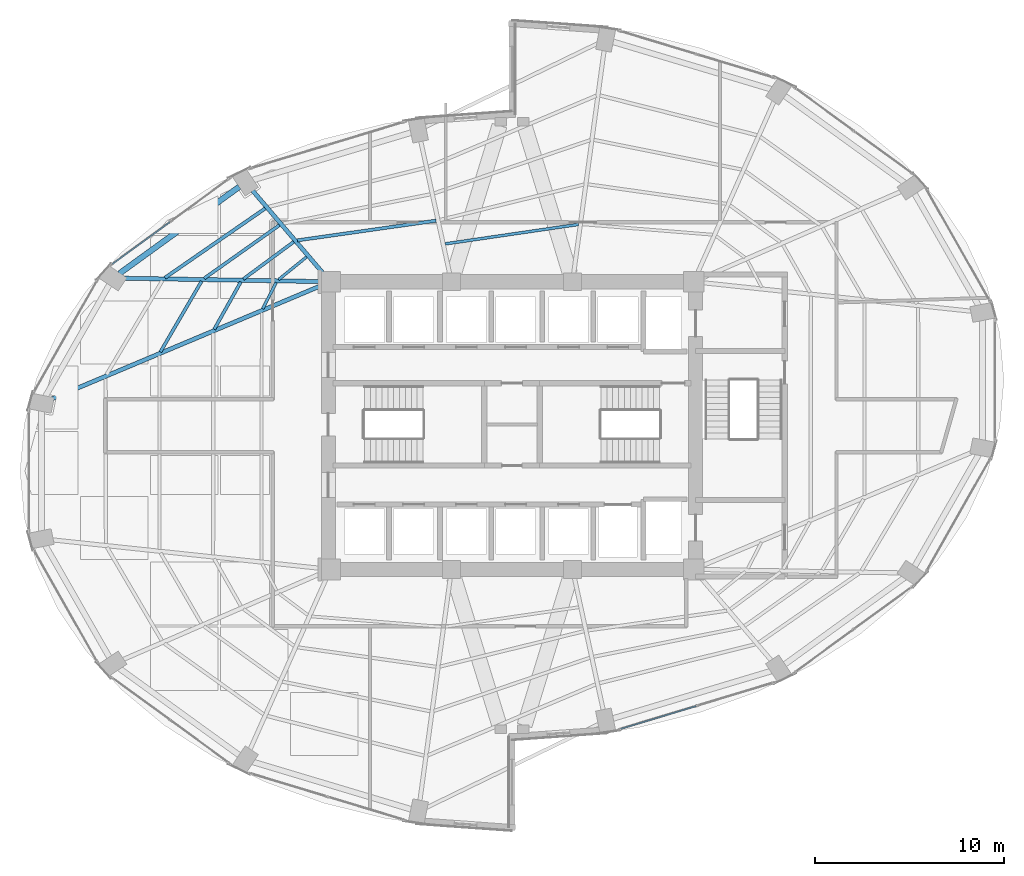
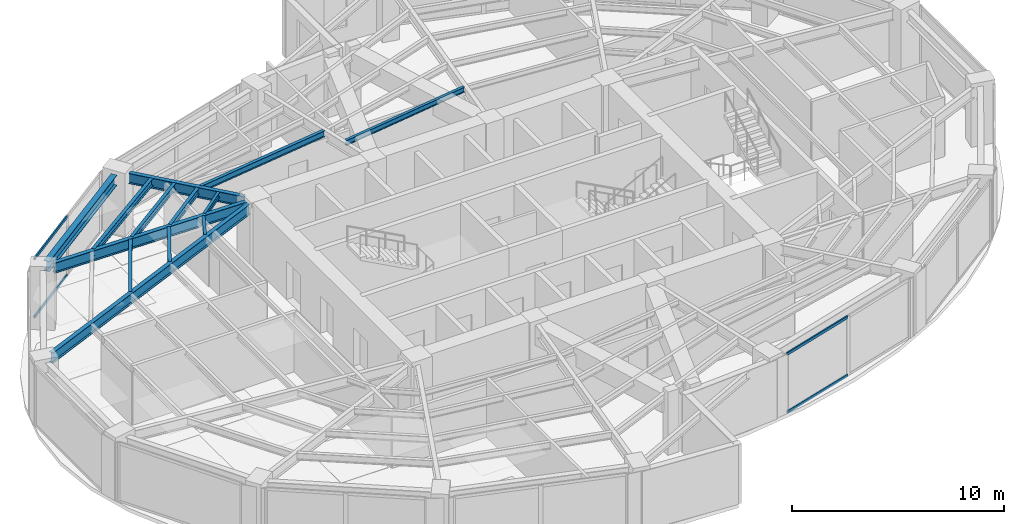
# One storey, part 9 of 23: 13 beams, 4 members, 2 elements without a shape of their own.
"""IFC4 building model written with IfcOpenShell, lengths in metres."""

import ifcopenshell
import ifcopenshell.guid

model = None  # the IFC model being written
_history = None  # IfcOwnerHistory: only IFC2X3 demands one
_inside = {}  # id of a spatial element -> (the spatial element, [elements in it])
_under = {}  # id of a project, library or spatial element -> (it, [spatial elements below it])
_declared = {}  # id of a project -> (the project, [libraries it declares])
_typed = {}  # id of a type object -> (the type object, [elements of that type])
_made_of = {}  # id of a material, layer set ... -> (it, [elements and type objects made of it])


def new_model(schema):
    """Start an empty IFC model of exactly this schema.

    Asked for "IFC4X3", IfcOpenShell would pick the latest addendum, in which some entities
    have other attributes; the version numbers below select the first issue.
    IFC2X3 requires an IfcOwnerHistory on every rooted entity: one is made here for all.
    """
    global model, _history
    if schema == "IFC4X3":
        model = ifcopenshell.file(schema_version=(4, 3, 0, 0))
    else:
        model = ifcopenshell.file(schema=schema)
    _inside.clear()
    _under.clear()
    _declared.clear()
    _typed.clear()
    _made_of.clear()
    _history = None
    if model.schema == "IFC2X3":
        org = make("IfcOrganization", Name="unknown")
        user = make(
            "IfcPersonAndOrganization",
            ThePerson=make("IfcPerson", FamilyName="unknown"),
            TheOrganization=org,
        )
        app = make(
            "IfcApplication",
            ApplicationDeveloper=org,
            Version="unknown",
            ApplicationFullName="unknown",
            ApplicationIdentifier="unknown",
        )
        _history = make(
            "IfcOwnerHistory",
            OwningUser=user,
            OwningApplication=app,
            ChangeAction="ADDED",
            CreationDate=0,
        )
    return model


def make(cls, **values):
    """One entity of the class cls with the attributes given. An attribute that is None is left unset."""
    return model.create_entity(
        cls, **{name: value for name, value in values.items() if value is not None}
    )


def rooted(cls, **values):
    """An entity with a GlobalId (a new one), such as an element, a storey or a relation."""
    return make(cls, GlobalId=ifcopenshell.guid.new(), OwnerHistory=_history, **values)


def si_unit(unit_type, name, prefix=None):
    """IfcSIUnit, for example si_unit("LENGTHUNIT", "METRE", prefix="MILLI")."""
    return make("IfcSIUnit", UnitType=unit_type, Prefix=prefix, Name=name)


def assignment(units):
    """IfcUnitAssignment: the units of a project."""
    return None if units is None else make("IfcUnitAssignment", Units=units)


def point(xyz):
    """IfcCartesianPoint."""
    return None if xyz is None else make("IfcCartesianPoint", Coordinates=xyz)


def direction(xyz):
    """IfcDirection."""
    return None if xyz is None else make("IfcDirection", DirectionRatios=xyz)


def frame(location, z_axis=None, x_axis=None):
    """IfcAxis2Placement3D, a coordinate frame: its origin and axes. An axis left out is left unset."""
    return make(
        "IfcAxis2Placement3D",
        Location=point(location),
        Axis=direction(z_axis),
        RefDirection=direction(x_axis),
    )


def frame_2d(location, x_axis=None):
    """IfcAxis2Placement2D, a coordinate frame in the plane: its origin and x axis."""
    return make(
        "IfcAxis2Placement2D", Location=point(location), RefDirection=direction(x_axis)
    )


def origin():
    """The frame at (0, 0, 0) with its axes left unset."""
    return frame((0.0, 0.0, 0.0))


def origin_2d():
    """The frame at (0, 0) in the plane with its x axis left unset."""
    return frame_2d((0.0, 0.0))


def place(relative_to, where):
    """IfcLocalPlacement: puts the frame where relative to a parent placement (None: the world)."""
    return make(
        "IfcLocalPlacement", PlacementRelTo=relative_to, RelativePlacement=where
    )


def context(
    kind, dimensions, precision=None, world=None, true_north=None, identifier=None
):
    """IfcGeometricRepresentationContext, for example the 3D "Model" context."""
    return make(
        "IfcGeometricRepresentationContext",
        ContextIdentifier=identifier,
        ContextType=kind,
        CoordinateSpaceDimension=dimensions,
        Precision=precision,
        WorldCoordinateSystem=world,
        TrueNorth=true_north,
    )


def subcontext(parent, identifier, kind, view, scale=None):
    """IfcGeometricRepresentationSubContext, for example "Body" below "Model"."""
    return make(
        "IfcGeometricRepresentationSubContext",
        ContextIdentifier=identifier,
        ContextType=kind,
        ParentContext=parent,
        TargetScale=scale,
        TargetView=view,
    )


def project(units=None, contexts=None):
    """IfcProject with its units and contexts."""
    return rooted(
        "IfcProject",
        Name="project",
        RepresentationContexts=contexts,
        UnitsInContext=assignment(units),
    )


def spatial(cls, under=None, at=None, **own):
    """A site, building, storey or space (cls), placed at a placement, below another one or the project."""
    s = rooted(cls, ObjectPlacement=at, **own)
    if under is not None:
        _under.setdefault(under.id(), (under, []))[1].append(s)
    return s


def profile(cls, at=None, kind="AREA", **sizes):
    """A parametric profile (cls). Its sizes go by their IFC names, for example OverallWidth=200.0."""
    return make(cls, ProfileType=kind, Position=at, **sizes)


def hollow_rectangle(**sizes):
    """IfcRectangleHollowProfileDef."""
    return profile("IfcRectangleHollowProfileDef", **sizes)


def i_section(**sizes):
    """IfcIShapeProfileDef."""
    return profile("IfcIShapeProfileDef", **sizes)


def extrude(swept, where, along, depth):
    """IfcExtrudedAreaSolid: the profile swept, set in the frame where, extruded along a direction by depth."""
    return make(
        "IfcExtrudedAreaSolid",
        SweptArea=swept,
        Position=where,
        ExtrudedDirection=direction(along),
        Depth=depth,
    )


def shape(context_of_items, identifier, shape_type, items):
    """IfcShapeRepresentation: the items that make up one representation, for example the "Body"."""
    return make(
        "IfcShapeRepresentation",
        ContextOfItems=context_of_items,
        RepresentationIdentifier=identifier,
        RepresentationType=shape_type,
        Items=items,
    )


def material(Name=None, Category=None):
    """IfcMaterial."""
    return make("IfcMaterial", Name=Name, Category=Category)


def layer(
    of_material, thickness, ventilated=None, Name=None, Category=None, Priority=None
):
    """IfcMaterialLayer: one layer of a wall or slab, of a material (None: an air gap)."""
    return make(
        "IfcMaterialLayer",
        Material=of_material,
        LayerThickness=thickness,
        IsVentilated=ventilated,
        Name=Name,
        Category=Category,
        Priority=Priority,
    )


def layer_set(layers, Name=None):
    """IfcMaterialLayerSet."""
    return make("IfcMaterialLayerSet", MaterialLayers=layers, LayerSetName=Name)


def material_profile(
    of_material, cross_section, Name=None, Category=None, Priority=None
):
    """IfcMaterialProfile: a cross section and its material."""
    return make(
        "IfcMaterialProfile",
        Name=Name,
        Material=of_material,
        Profile=cross_section,
        Priority=Priority,
        Category=Category,
    )


def profile_set(profiles, Name=None, composite=None):
    """IfcMaterialProfileSet."""
    return make(
        "IfcMaterialProfileSet",
        Name=Name,
        MaterialProfiles=profiles,
        CompositeProfile=composite,
    )


def made_of(thing, what):
    """Note that an element or type object is made of a material, layer set ...; save() writes the relation."""
    if what is not None:
        _made_of.setdefault(what.id(), (what, []))[1].append(thing)
    return thing


def type_object(cls, material=None, **own):
    """A type object (cls), such as IfcWallType, which elements share."""
    return made_of(rooted(cls, **own), material)


def element(
    cls,
    number,
    at=None,
    inside=None,
    cuts=None,
    type_object=None,
    material=None,
    context=None,
    identifier="Body",
    shape_type=None,
    held_by="IfcProductDefinitionShape",
    body=None,
    shapes=None,
    **own,
):
    """One element of the class cls, such as IfcWall. Its Tag is "e" and its number.

    at: its placement. inside: the storey or other place that contains it. cuts: it is an
    opening in that element (IfcRelVoidsElement). A single representation is given by context,
    identifier, shape_type and body (its items); several are given by shapes. held_by: the class
    of the entity that holds the representations. save() writes the other relations.
    """
    e = rooted(cls, Tag="e%d" % number, ObjectPlacement=at, **own)
    if body is not None:
        shapes = [shape(context, identifier, shape_type, body)]
    if shapes is not None:
        e.Representation = make(held_by, Representations=shapes)
    if inside is not None:
        _inside.setdefault(inside.id(), (inside, []))[1].append(e)
    if cuts is not None:
        rooted(
            "IfcRelVoidsElement", RelatingBuildingElement=cuts, RelatedOpeningElement=e
        )
    if type_object is not None:
        _typed.setdefault(type_object.id(), (type_object, []))[1].append(e)
    return made_of(e, material)


def aggregate(whole, parts):
    """IfcRelAggregates: a whole, such as a stair, and the parts it consists of."""
    return rooted("IfcRelAggregates", RelatingObject=whole, RelatedObjects=parts)


def save(model, path):
    """Write the relations noted so far, then the file.

    IfcRelAggregates (storeys below a building ...), IfcRelContainedInSpatialStructure (elements
    in a storey), IfcRelDefinesByType, IfcRelAssociatesMaterial and IfcRelDeclares: one each for
    every whole, place, type object, material and project.
    """
    for whole, parts in _under.values():
        aggregate(whole, parts)
    for where, things in _inside.values():
        rooted(
            "IfcRelContainedInSpatialStructure",
            RelatedElements=things,
            RelatingStructure=where,
        )
    for kind, things in _typed.values():
        rooted("IfcRelDefinesByType", RelatedObjects=things, RelatingType=kind)
    for what, things in _made_of.values():
        rooted("IfcRelAssociatesMaterial", RelatedObjects=things, RelatingMaterial=what)
    for by, libraries in _declared.values():
        rooted("IfcRelDeclares", RelatingContext=by, RelatedDefinitions=libraries)
    model.write(path)


model = new_model("IFC4")

# Units and contexts
model_context = context("Model", 3, precision=1e-05, world=origin(), true_north=direction((0.0, 1.0)))
body_context = subcontext(model_context, "Body", "Model", "MODEL_VIEW")
ifc_project = project(units=[si_unit("LENGTHUNIT", "METRE"), si_unit("AREAUNIT", "SQUARE_METRE"), si_unit("VOLUMEUNIT", "CUBIC_METRE"), si_unit("PLANEANGLEUNIT", "RADIAN"), si_unit("MASSUNIT", "GRAM", prefix="KILO")], contexts=[model_context])

# Site, building, storey
site_placement = place(None, origin())
site = spatial("IfcSite", under=ifc_project, at=site_placement, CompositionType="ELEMENT")
building_placement = place(site_placement, origin())
building = spatial("IfcBuilding", under=site, at=building_placement, Name="Lazwardi Medical Tower", CompositionType="ELEMENT")
storey_placement = place(building_placement, frame((0.0, 0.0, 125.52001953125)))
storey = spatial("IfcBuildingStorey", under=building, at=storey_placement, Name="L32", CompositionType="ELEMENT", Elevation=125.52001953125)

# Beams
ifc_material_1 = material(Name="Steel S355", Category="steel")
ifc_material_profile_1 = material_profile(ifc_material_1, i_section(OverallWidth=0.300048828125, OverallDepth=0.60009765625, WebThickness=0.015380859375, FlangeThickness=0.030029296875, at=origin_2d()), Name="HEB 600")
ifc_profile_set_1 = profile_set([ifc_material_profile_1], Name="Steel S355")
beam_type_1 = type_object("IfcBeamType", Name="BM-RB-Z2", PredefinedType="BEAM", material=ifc_profile_set_1)
beam_1_placement = place(storey_placement, frame((21.584228515625, 40.6171875, 3.1279296875), z_axis=(-0.810041907649, -0.586371987609, 0.0), x_axis=(0.586371987609, -0.810041907649, 0.0)))
element("IfcBeam", 1, at=beam_1_placement, inside=storey, type_object=beam_type_1, Name="Ring beam RB-03 B10 L32", PredefinedType="BEAM", context=body_context, shape_type="SweptSolid", body=[
    extrude(i_section(OverallWidth=0.300048828125, OverallDepth=0.60009765625, WebThickness=0.015380859375, FlangeThickness=0.030029296875, at=origin_2d()), origin(), (0.0, 0.0, 1.0), 7.814208984375),
])
ifc_material_profile_2 = material_profile(ifc_material_1, i_section(OverallWidth=0.219970703125, OverallDepth=0.60009765625, WebThickness=0.011962890625, FlangeThickness=0.01904296875, at=origin_2d()), Name="IPE 600")
ifc_profile_set_2 = profile_set([ifc_material_profile_2], Name="Steel S355")
beam_type_2 = type_object("IfcBeamType", Name="BM-RG-W1", PredefinedType="BEAM", material=ifc_profile_set_2)
beam_2_placement = place(storey_placement, frame((22.292724609375, 40.416259765625, 3.1279296875), z_axis=(0.648870567436, -0.760898801889, 0.0), x_axis=(0.760898801889, 0.648870567436, 0.0)))
element("IfcBeam", 2, at=beam_2_placement, inside=storey, type_object=beam_type_2, Name="Radial girder RG-02 R10 L32", PredefinedType="BEAM", context=body_context, shape_type="SweptSolid", body=[
    extrude(i_section(OverallWidth=0.219970703125, OverallDepth=0.60009765625, WebThickness=0.011962890625, FlangeThickness=0.01904296875, at=origin_2d()), origin(), (0.0, 0.0, 1.0), 5.794677734375),
])
beam_3_placement = place(storey_placement, frame((15.502197265625, 35.784912109375, 3.1279296875), z_axis=(0.99985616395, -0.016960289263, 0.0), x_axis=(0.016960289263, 0.99985616395, 0.0)))
element("IfcBeam", 3, at=beam_3_placement, inside=storey, type_object=beam_type_2, Name="Radial girder RG-02 R11 L32", PredefinedType="BEAM", context=body_context, shape_type="SweptSolid", body=[
    extrude(i_section(OverallWidth=0.219970703125, OverallDepth=0.60009765625, WebThickness=0.011962890625, FlangeThickness=0.01904296875, at=origin_2d()), origin(), (0.0, 0.0, 1.0), 10.3642578125),
])
beam_4_placement = place(storey_placement, frame((11.671630859375, 29.40478515625, 3.1279296875), z_axis=(0.921775176005, 0.38772480563, 0.0), x_axis=(-0.38772480563, 0.921775176005, 0.0)))
element("IfcBeam", 4, at=beam_4_placement, inside=storey, type_object=beam_type_2, Name="Radial girder RG-02 R12 L32", PredefinedType="BEAM", context=body_context, shape_type="SweptSolid", body=[
    extrude(i_section(OverallWidth=0.219970703125, OverallDepth=0.60009765625, WebThickness=0.011962890625, FlangeThickness=0.01904296875, at=origin_2d()), origin(), (0.0, 0.0, 1.0), 15.443359375),
])
ifc_material_profile_3 = material_profile(ifc_material_1, i_section(OverallWidth=0.179931640625, OverallDepth=0.39990234375, WebThickness=0.008544921875, FlangeThickness=0.013427734375, at=origin_2d()), Name="IPE 400")
ifc_profile_set_3 = profile_set([ifc_material_profile_3], Name="Steel S355")
beam_type_3 = type_object("IfcBeamType", Name="BM-SJ-01", PredefinedType="JOIST", material=ifc_profile_set_3)
beam_5_placement = place(storey_placement, frame((22.95849609375, 39.474609375, 3.22802734375), z_axis=(-0.822376339068, -0.568943896128, 0.0), x_axis=(0.568943896128, -0.822376339068, 0.0)))
element("IfcBeam", 5, at=beam_5_placement, inside=storey, type_object=beam_type_3, Name="Secondary joist SJ-01 R1 B10 L32", PredefinedType="JOIST", context=body_context, shape_type="SweptSolid", body=[
    extrude(i_section(OverallWidth=0.179931640625, OverallDepth=0.39990234375, WebThickness=0.008544921875, FlangeThickness=0.013427734375, at=origin_2d()), origin(), (0.0, 0.0, 1.0), 6.44189453125),
])
ifc_material_profile_4 = material_profile(ifc_material_1, i_section(OverallWidth=0.169921875, OverallDepth=0.360107421875, WebThickness=0.008056640625, FlangeThickness=0.0126953125, at=origin_2d()), Name="IPE 360")
ifc_profile_set_4 = profile_set([ifc_material_profile_4], Name="Steel S355")
beam_type_4 = type_object("IfcBeamType", Name="BM-SJ-02", PredefinedType="JOIST", material=ifc_profile_set_4)
beam_6_placement = place(storey_placement, frame((23.7109375, 38.591796875, 3.248046875), z_axis=(-0.816156371539, -0.577831097464, 0.0), x_axis=(0.577831097464, -0.816156371539, 0.0)))
element("IfcBeam", 6, at=beam_6_placement, inside=storey, type_object=beam_type_4, Name="Secondary joist SJ-02 R2 B10 L32", PredefinedType="JOIST", context=body_context, shape_type="SweptSolid", body=[
    extrude(i_section(OverallWidth=0.169921875, OverallDepth=0.360107421875, WebThickness=0.008056640625, FlangeThickness=0.0126953125, at=origin_2d()), origin(), (0.0, 0.0, 1.0), 4.8740234375),
])
beam_7_placement = place(storey_placement, frame((19.594482421875, 35.623779296875, 3.248046875), z_axis=(-0.503544274258, -0.86396942299, 0.0), x_axis=(0.86396942299, -0.503544274258, 0.0)))
element("IfcBeam", 7, at=beam_7_placement, inside=storey, type_object=beam_type_4, Name="Secondary joist SJ-02 R2 B11 L32", PredefinedType="JOIST", context=body_context, shape_type="SweptSolid", body=[
    extrude(i_section(OverallWidth=0.169921875, OverallDepth=0.360107421875, WebThickness=0.008056640625, FlangeThickness=0.0126953125, at=origin_2d()), origin(), (0.0, 0.0, 1.0), 4.321044921875),
])
beam_8_placement = place(storey_placement, frame((31.988525390625, 38.8271484375, 3.248046875), z_axis=(-0.990067108571, -0.140595592128, 0.0), x_axis=(0.140595592128, -0.990067108571, 0.0)))
element("IfcBeam", 8, at=beam_8_placement, inside=storey, type_object=beam_type_4, Name="Secondary joist SJ-02 R3 B09 L32", PredefinedType="JOIST", context=body_context, shape_type="SweptSolid", body=[
    extrude(i_section(OverallWidth=0.169921875, OverallDepth=0.360107421875, WebThickness=0.008056640625, FlangeThickness=0.0126953125, at=origin_2d()), origin(), (0.0, 0.0, 1.0), 7.409423828125),
])
beam_9_placement = place(storey_placement, frame((24.46435546875, 37.708251953125, 3.248046875), z_axis=(-0.804125525058, -0.594459536008, 0.0), x_axis=(0.594459536008, -0.804125525058, 0.0)))
element("IfcBeam", 9, at=beam_9_placement, inside=storey, type_object=beam_type_4, Name="Secondary joist SJ-02 R3 B10 L32", PredefinedType="JOIST", context=body_context, shape_type="SweptSolid", body=[
    extrude(i_section(OverallWidth=0.169921875, OverallDepth=0.360107421875, WebThickness=0.008056640625, FlangeThickness=0.0126953125, at=origin_2d()), origin(), (0.0, 0.0, 1.0), 3.30810546875),
])
beam_10_placement = place(storey_placement, frame((21.66845703125, 35.587890625, 3.248046875), z_axis=(-0.489860824278, -0.871800649711, 0.0), x_axis=(0.871800649711, -0.489860824278, 0.0)))
element("IfcBeam", 10, at=beam_10_placement, inside=storey, type_object=beam_type_4, Name="Secondary joist SJ-02 R3 B11 L32", PredefinedType="JOIST", context=body_context, shape_type="SweptSolid", body=[
    extrude(i_section(OverallWidth=0.169921875, OverallDepth=0.360107421875, WebThickness=0.008056640625, FlangeThickness=0.0126953125, at=origin_2d()), origin(), (0.0, 0.0, 1.0), 2.8662109375),
])
ifc_material_profile_5 = material_profile(ifc_material_1, i_section(OverallWidth=0.14990234375, OverallDepth=0.300048828125, WebThickness=0.007080078125, FlangeThickness=0.0107421875, at=origin_2d()), Name="IPE 300")
ifc_profile_set_5 = profile_set([ifc_material_profile_5], Name="Steel S355")
beam_type_5 = type_object("IfcBeamType", Name="BM-SJ-03", PredefinedType="JOIST", material=ifc_profile_set_5)
beam_11_placement = place(storey_placement, frame((39.511474609375, 38.62939453125, 3.278076171875), z_axis=(-0.98949221477, -0.144586157392, 0.0), x_axis=(0.144586157392, -0.98949221477, 0.0)))
element("IfcBeam", 11, at=beam_11_placement, inside=storey, type_object=beam_type_5, Name="Secondary joist SJ-03 R4 B08 L32", PredefinedType="JOIST", context=body_context, shape_type="SweptSolid", body=[
    extrude(i_section(OverallWidth=0.14990234375, OverallDepth=0.300048828125, WebThickness=0.007080078125, FlangeThickness=0.0107421875, at=origin_2d()), origin(), (0.0, 0.0, 1.0), 7.115478515625),
])
beam_12_placement = place(storey_placement, frame((25.14404296875, 36.910888671875, 3.278076171875), z_axis=(-0.77695773322, -0.629552762515, 0.0), x_axis=(0.629552762515, -0.77695773322, 0.0)))
element("IfcBeam", 12, at=beam_12_placement, inside=storey, type_object=beam_type_5, Name="Secondary joist SJ-03 R4 B10 L32", PredefinedType="JOIST", context=body_context, shape_type="SweptSolid", body=[
    extrude(i_section(OverallWidth=0.14990234375, OverallDepth=0.300048828125, WebThickness=0.007080078125, FlangeThickness=0.0107421875, at=origin_2d()), origin(), (0.0, 0.0, 1.0), 1.9013671875),
])
beam_13_placement = place(storey_placement, frame((23.537109375, 35.554443359375, 3.278076171875), z_axis=(-0.457956589674, -0.888974556427, 0.0), x_axis=(0.888974556427, -0.457956589674, 0.0)))
element("IfcBeam", 13, at=beam_13_placement, inside=storey, type_object=beam_type_5, Name="Secondary joist SJ-03 R4 B11 L32", PredefinedType="JOIST", context=body_context, shape_type="SweptSolid", body=[
    extrude(i_section(OverallWidth=0.14990234375, OverallDepth=0.300048828125, WebThickness=0.007080078125, FlangeThickness=0.0107421875, at=origin_2d()), origin(), (0.0, 0.0, 1.0), 1.558837890625),
])

# Curtain wall, members
ifc_material_2 = material(Name="Anodised bronze aluminium and solar control glazing", Category="aluminium")
ifc_layer = layer(ifc_material_2, 0.195068359375)
ifc_layer_set = layer_set([ifc_layer], Name="Anodised bronze aluminium and solar control glazing")
curtain_wall_type = type_object("IfcCurtainWallType", Name="CW-SYS-03", PredefinedType="NOTDEFINED", material=ifc_layer_set)
curtain_wall_1_placement = place(storey_placement, origin())
curtain_wall_1 = element("IfcCurtainWall", 14, at=curtain_wall_1_placement, inside=storey, type_object=curtain_wall_type, Name="L32 Unitised bronze curtain wall CW-03", PredefinedType="NOTDEFINED")
ifc_material_3 = material(Name="Anodised bronze aluminium", Category="aluminium")
ifc_material_profile_6 = material_profile(ifc_material_3, hollow_rectangle(XDim=0.074951171875, YDim=0.159912109375, WallThickness=0.00390625, at=origin_2d()), Name="ALU-TRANSOM 160x75x4")
ifc_profile_set_6 = profile_set([ifc_material_profile_6], Name="Anodised bronze aluminium")
member_type = type_object("IfcMemberType", Name="CW-TRN-01", PredefinedType="USERDEFINED", material=ifc_profile_set_6)
member_1_placement = place(storey_placement, frame((41.74609375, 11.970703125, 0.03759765625), z_axis=(0.957220865985, 0.289358279168, 0.0), x_axis=(-0.289358279168, 0.957220865985, 0.0)))
member_1 = element("IfcMember", 15, at=member_1_placement, type_object=member_type, Name="CW-03 transom 1.1", ObjectType="TRANSOM", PredefinedType="USERDEFINED", context=body_context, shape_type="SweptSolid", body=[
    extrude(hollow_rectangle(XDim=0.074951171875, YDim=0.159912109375, WallThickness=0.00390625, at=origin_2d()), origin(), (0.0, 0.0, 1.0), 4.16552734375),
])
member_2_placement = place(storey_placement, frame((41.74609375, 11.970703125, 3.390380859375), z_axis=(0.957220865985, 0.289358279168, 0.0), x_axis=(-0.289358279168, 0.957220865985, 0.0)))
member_2 = element("IfcMember", 16, at=member_2_placement, type_object=member_type, Name="CW-03 transom 1.2", ObjectType="TRANSOM", PredefinedType="USERDEFINED", context=body_context, shape_type="SweptSolid", body=[
    extrude(hollow_rectangle(XDim=0.074951171875, YDim=0.159912109375, WallThickness=0.00390625, at=origin_2d()), origin(), (0.0, 0.0, 1.0), 4.16552734375),
])
aggregate(curtain_wall_1, [member_1, member_2])

curtain_wall_2_placement = place(storey_placement, origin())
curtain_wall_2 = element("IfcCurtainWall", 17, at=curtain_wall_2_placement, inside=storey, type_object=curtain_wall_type, Name="L32 Unitised bronze curtain wall CW-03", PredefinedType="NOTDEFINED")
member_3_placement = place(storey_placement, frame((17.918701171875, 38.752197265625, 0.03759765625), z_axis=(-0.807731734271, -0.589550206049, 0.0), x_axis=(0.589550206049, -0.807731734271, 0.0)))
member_3 = element("IfcMember", 18, at=member_3_placement, type_object=member_type, Name="CW-03 transom 2.1", ObjectType="TRANSOM", PredefinedType="USERDEFINED", context=body_context, shape_type="SweptSolid", body=[
    extrude(hollow_rectangle(XDim=0.074951171875, YDim=0.159912109375, WallThickness=0.00390625, at=origin_2d()), origin(), (0.0, 0.0, 1.0), 3.767578125),
])
member_4_placement = place(storey_placement, frame((17.918701171875, 38.752197265625, 3.390380859375), z_axis=(-0.807731734271, -0.589550206049, 0.0), x_axis=(0.589550206049, -0.807731734271, 0.0)))
member_4 = element("IfcMember", 19, at=member_4_placement, type_object=member_type, Name="CW-03 transom 2.2", ObjectType="TRANSOM", PredefinedType="USERDEFINED", context=body_context, shape_type="SweptSolid", body=[
    extrude(hollow_rectangle(XDim=0.074951171875, YDim=0.159912109375, WallThickness=0.00390625, at=origin_2d()), origin(), (0.0, 0.0, 1.0), 3.767578125),
])
aggregate(curtain_wall_2, [member_3, member_4])

save(model, "model.ifc")
